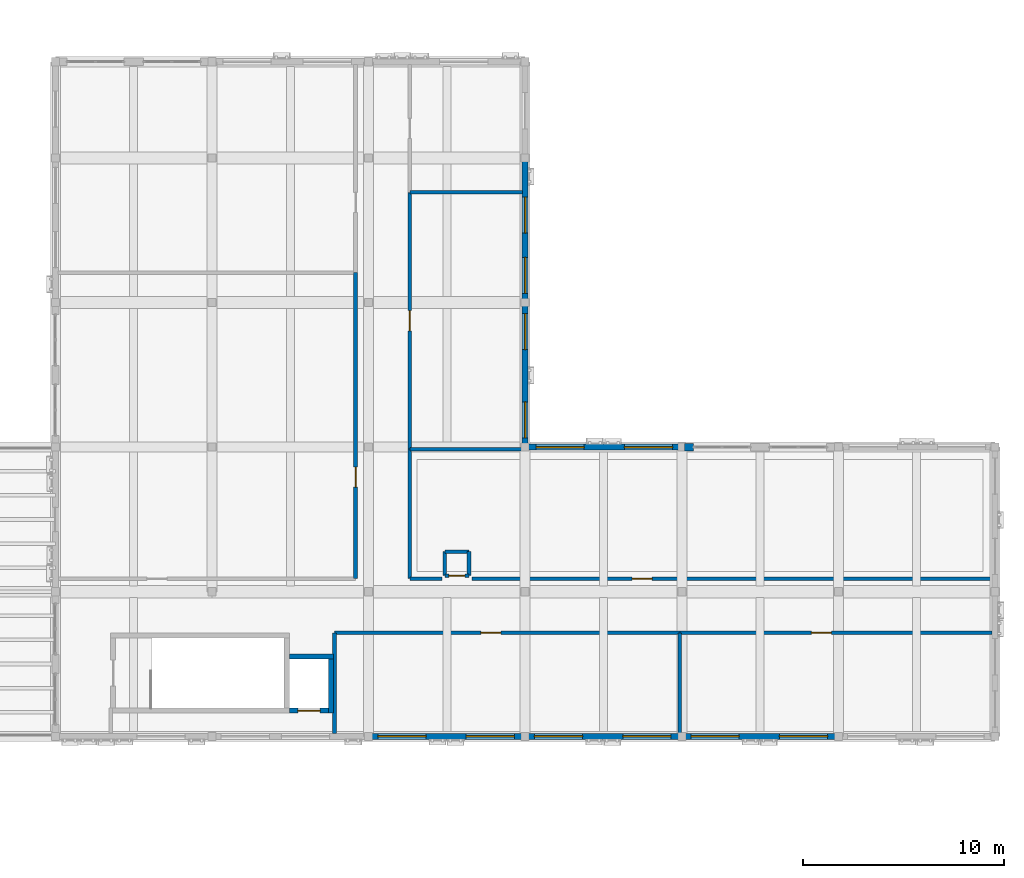
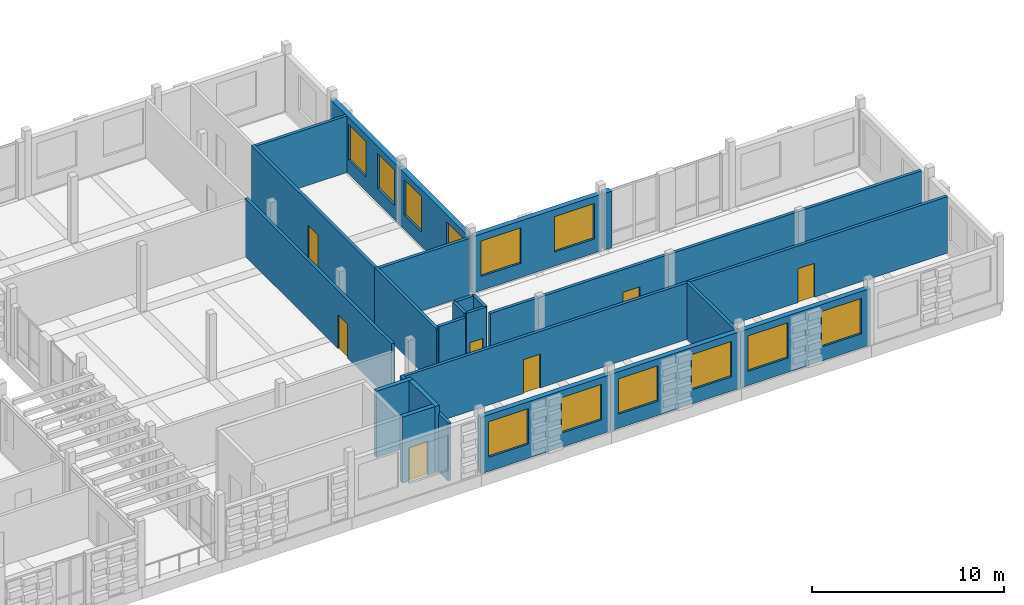
# One storey, part 75 of 99: 25 walls, 12 windows, 7 doors, 19 openings.
"""IFC4 building model written with IfcOpenShell, lengths in metres."""

from ifc_helpers import new_model, si_unit, direction, frame, frame_2d, origin, place, context, subcontext, project, spatial, rectangle, extrude, material, layer, layer_set, type_object, element, fill, save


model = new_model("IFC4")

# Units and contexts
model_context = context("Model", 3, precision=1e-05, world=origin(), true_north=direction((0.0, 1.0)))
body_context = subcontext(model_context, "Body", "Model", "MODEL_VIEW")
ifc_project = project(units=[si_unit("LENGTHUNIT", "METRE"), si_unit("AREAUNIT", "SQUARE_METRE"), si_unit("VOLUMEUNIT", "CUBIC_METRE"), si_unit("PLANEANGLEUNIT", "RADIAN"), si_unit("MASSUNIT", "GRAM", prefix="KILO")], contexts=[model_context])

# Site, building, storey
site_placement = place(None, origin())
site = spatial("IfcSite", under=ifc_project, at=site_placement, CompositionType="ELEMENT")
building_placement = place(site_placement, origin())
building = spatial("IfcBuilding", under=site, at=building_placement, Name="Kahlenmark Community Centre", CompositionType="ELEMENT")
storey_placement = place(building_placement, frame((0.0, 0.0, 5.39990234375)))
storey = spatial("IfcBuildingStorey", under=building, at=storey_placement, Name="L01", CompositionType="ELEMENT", Elevation=5.39990234375)

# Walls
ifc_material_1 = material(Name="Concrete C35/45", Category="concrete")
ifc_layer_1 = layer(ifc_material_1, 0.25)
ifc_layer_set_1 = layer_set([ifc_layer_1], Name="Concrete C35/45")
wall_type_1 = type_object("IfcWallType", Name="WT-CORE-250", PredefinedType="SHEAR", material=ifc_layer_set_1)
wall_1_placement = place(storey_placement, frame((133.25, 12.784912109375, 0.0), z_axis=(0.0, 0.0, 1.0), x_axis=(1.0, 0.0, 0.0)))
element("IfcWall", 1, at=wall_1_placement, inside=storey, type_object=wall_type_1, Name="Core K8 shear wall WL-CORE-K8-L01-0299", PredefinedType="SHEAR", context=body_context, shape_type="SweptSolid", body=[
    extrude(rectangle(XDim=2.2099609375, YDim=0.25, at=frame_2d((1.10498046875, 0.0))), origin(), (0.0, 0.0, 1.0), 4.2001953125),
])
wall_2_placement = place(storey_placement, frame((135.3349609375, 9.949951171875, 0.0), z_axis=(0.0, 0.0, 1.0), x_axis=(0.0, 1.0, 0.0)))
element("IfcWall", 2, at=wall_2_placement, inside=storey, type_object=wall_type_1, Name="Core K8 shear wall WL-CORE-K8-L01-0300", PredefinedType="SHEAR", context=body_context, shape_type="SweptSolid", body=[
    extrude(rectangle(XDim=2.9599609375, YDim=0.25, at=frame_2d((1.47998046875, 0.0))), origin(), (0.0, 0.0, 1.0), 4.2001953125),
])

# Wall, opening, door
wall_3_placement = place(storey_placement, frame((133.25, 10.074951171875, 0.0), z_axis=(0.0, 0.0, 1.0), x_axis=(1.0, 0.0, 0.0)))
wall_3 = element("IfcWall", 3, at=wall_3_placement, inside=storey, type_object=wall_type_1, Name="Core K8 shear wall WL-CORE-K8-L01-0301", PredefinedType="SHEAR", context=body_context, shape_type="SweptSolid", body=[
    extrude(rectangle(XDim=1.9599609375, YDim=0.25, at=frame_2d((0.97998046875, 0.0))), origin(), (0.0, 0.0, 1.0), 4.2001953125),
])
opening_1_placement = place(wall_3_placement, frame((0.429931640625, 0.0, -0.010009765625)))
opening_1 = element("IfcOpeningElement", 4, at=opening_1_placement, cuts=wall_3, Name="Opening LD-8", PredefinedType="OPENING", context=body_context, shape_type="SweptSolid", body=[
    extrude(rectangle(XDim=1.10009765625, YDim=2.159912109375, at=frame_2d((0.550048828125, 1.080078125))), frame((0.0, 0.135009765625, 0.0), z_axis=(0.0, -1.0, 0.0), x_axis=(1.0, 0.0, 0.0)), (0.0, 0.0, 1.0), 0.27001953125),
])
ifc_material_2 = material(Name="Brushed stainless steel sliding lift landing door", Category="steel")
door_type_1 = type_object("IfcDoorType", Name="DT-LD-K8", OperationType="SLIDING_TO_LEFT", PredefinedType="DOOR", material=ifc_material_2)
door_1_placement = place(opening_1_placement, frame((0.0, 0.0, 0.010009765625)))
door_1 = element("IfcDoor", 5, at=door_1_placement, inside=storey, type_object=door_type_1, Name="Lift LF-08 sliding landing door L01", OperationType="SLIDING_TO_LEFT", OverallHeight=2.14990234375, OverallWidth=1.10009765625, PredefinedType="DOOR", context=body_context, shape_type="SweptSolid", body=[
    extrude(rectangle(XDim=1.10009765625, YDim=2.14990234375, at=frame_2d((0.550048828125, 1.074951171875))), frame((0.0, 0.02490234375, 0.0), z_axis=(0.0, -1.0, 0.0), x_axis=(1.0, 0.0, 0.0)), (0.0, 0.0, 1.0), 0.050048828125),
])
fill(opening_1, door_1)

# Wall, openings, windows
ifc_material_3 = material(Name="Cross-laminated timber CLT C24", Category="wood")
ifc_layer_2 = layer(ifc_material_3, 0.300048828125)
ifc_layer_set_2 = layer_set([ifc_layer_2], Name="Cross-laminated timber CLT C24")
wall_type_2 = type_object("IfcWallType", Name="WT-EW-300", PredefinedType="SOLIDWALL", material=ifc_layer_set_2)
wall_4_placement = place(storey_placement, frame((137.199951171875, 8.800048828125, 0.0), z_axis=(0.0, 0.0, 1.0), x_axis=(1.0, 0.0, 0.0)))
wall_4 = element("IfcWall", 6, at=wall_4_placement, inside=storey, type_object=wall_type_2, Name="Exterior wall WL-EXT-L01-0384", PredefinedType="SOLIDWALL", context=body_context, shape_type="SweptSolid", body=[
    extrude(rectangle(XDim=7.800048828125, YDim=0.300048828125, at=frame_2d((3.89990234375, 0.0))), origin(), (0.0, 0.0, 1.0), 3.590087890625),
])
opening_2_placement = place(wall_4_placement, frame((0.4599609375, 0.0, 0.89990234375)))
opening_2 = element("IfcOpeningElement", 7, at=opening_2_placement, cuts=wall_4, Name="Opening W-240X225", PredefinedType="OPENING", context=body_context, shape_type="SweptSolid", body=[
    extrude(rectangle(XDim=2.39990234375, YDim=2.25, at=frame_2d((1.199951171875, 1.125))), frame((0.0, 0.159912109375, 0.0), z_axis=(0.0, -1.0, 0.0), x_axis=(1.0, 0.0, 0.0)), (0.0, 0.0, 1.0), 0.320068359375),
])
opening_3_placement = place(wall_4_placement, frame((4.860107421875, 0.0, 0.89990234375)))
opening_3 = element("IfcOpeningElement", 8, at=opening_3_placement, cuts=wall_4, Name="Opening W-240X225", PredefinedType="OPENING", context=body_context, shape_type="SweptSolid", body=[
    extrude(rectangle(XDim=2.39990234375, YDim=2.25, at=frame_2d((1.199951171875, 1.125))), frame((0.0, 0.159912109375, 0.0), z_axis=(0.0, -1.0, 0.0), x_axis=(1.0, 0.0, 0.0)), (0.0, 0.0, 1.0), 0.320068359375),
])
ifc_material_4 = material(Name="Triple low-e insulated glazing in timber-aluminium frame", Category="wood")
window_type_1 = type_object("IfcWindowType", Name="WNT-240X225", PartitioningType="TRIPLE_PANEL_VERTICAL", PredefinedType="WINDOW", material=ifc_material_4)
window_1_placement = place(opening_2_placement, origin())
window_1 = element("IfcWindow", 9, at=window_1_placement, inside=storey, type_object=window_type_1, Name="Window W-240X225 #0236", OverallHeight=2.25, OverallWidth=2.39990234375, PartitioningType="TRIPLE_PANEL_VERTICAL", PredefinedType="WINDOW", context=body_context, shape_type="SweptSolid", body=[
    extrude(rectangle(XDim=2.39990234375, YDim=2.25, at=frame_2d((1.199951171875, 1.125))), frame((0.0, 0.030029296875, 0.0), z_axis=(0.0, -1.0, 0.0), x_axis=(1.0, 0.0, 0.0)), (0.0, 0.0, 1.0), 0.06005859375),
])
fill(opening_2, window_1)
window_2_placement = place(opening_3_placement, origin())
window_2 = element("IfcWindow", 10, at=window_2_placement, inside=storey, type_object=window_type_1, Name="Window W-240X225 #0237", OverallHeight=2.25, OverallWidth=2.39990234375, PartitioningType="TRIPLE_PANEL_VERTICAL", PredefinedType="WINDOW", context=body_context, shape_type="SweptSolid", body=[
    extrude(rectangle(XDim=2.39990234375, YDim=2.25, at=frame_2d((1.199951171875, 1.125))), frame((0.0, 0.030029296875, 0.0), z_axis=(0.0, -1.0, 0.0), x_axis=(1.0, 0.0, 0.0)), (0.0, 0.0, 1.0), 0.06005859375),
])
fill(opening_3, window_2)

wall_5_placement = place(storey_placement, frame((145.0, 8.800048828125, 0.0), z_axis=(0.0, 0.0, 1.0), x_axis=(1.0, 0.0, 0.0)))
wall_5 = element("IfcWall", 11, at=wall_5_placement, inside=storey, type_object=wall_type_2, Name="Exterior wall WL-EXT-L01-0385", PredefinedType="SOLIDWALL", context=body_context, shape_type="SweptSolid", body=[
    extrude(rectangle(XDim=7.800048828125, YDim=0.300048828125, at=frame_2d((3.89990234375, 0.0))), origin(), (0.0, 0.0, 1.0), 3.590087890625),
])
opening_4_placement = place(wall_5_placement, frame((0.4599609375, 0.0, 0.89990234375)))
opening_4 = element("IfcOpeningElement", 12, at=opening_4_placement, cuts=wall_5, Name="Opening W-240X225", PredefinedType="OPENING", context=body_context, shape_type="SweptSolid", body=[
    extrude(rectangle(XDim=2.39990234375, YDim=2.25, at=frame_2d((1.199951171875, 1.125))), frame((0.0, 0.159912109375, 0.0), z_axis=(0.0, -1.0, 0.0), x_axis=(1.0, 0.0, 0.0)), (0.0, 0.0, 1.0), 0.320068359375),
])
opening_5_placement = place(wall_5_placement, frame((4.860107421875, 0.0, 0.89990234375)))
opening_5 = element("IfcOpeningElement", 13, at=opening_5_placement, cuts=wall_5, Name="Opening W-240X225", PredefinedType="OPENING", context=body_context, shape_type="SweptSolid", body=[
    extrude(rectangle(XDim=2.39990234375, YDim=2.25, at=frame_2d((1.199951171875, 1.125))), frame((0.0, 0.159912109375, 0.0), z_axis=(0.0, -1.0, 0.0), x_axis=(1.0, 0.0, 0.0)), (0.0, 0.0, 1.0), 0.320068359375),
])
window_3_placement = place(opening_4_placement, origin())
window_3 = element("IfcWindow", 14, at=window_3_placement, inside=storey, type_object=window_type_1, Name="Window W-240X225 #0238", OverallHeight=2.25, OverallWidth=2.39990234375, PartitioningType="TRIPLE_PANEL_VERTICAL", PredefinedType="WINDOW", context=body_context, shape_type="SweptSolid", body=[
    extrude(rectangle(XDim=2.39990234375, YDim=2.25, at=frame_2d((1.199951171875, 1.125))), frame((0.0, 0.030029296875, 0.0), z_axis=(0.0, -1.0, 0.0), x_axis=(1.0, 0.0, 0.0)), (0.0, 0.0, 1.0), 0.06005859375),
])
fill(opening_4, window_3)
window_4_placement = place(opening_5_placement, origin())
window_4 = element("IfcWindow", 15, at=window_4_placement, inside=storey, type_object=window_type_1, Name="Window W-240X225 #0239", OverallHeight=2.25, OverallWidth=2.39990234375, PartitioningType="TRIPLE_PANEL_VERTICAL", PredefinedType="WINDOW", context=body_context, shape_type="SweptSolid", body=[
    extrude(rectangle(XDim=2.39990234375, YDim=2.25, at=frame_2d((1.199951171875, 1.125))), frame((0.0, 0.030029296875, 0.0), z_axis=(0.0, -1.0, 0.0), x_axis=(1.0, 0.0, 0.0)), (0.0, 0.0, 1.0), 0.06005859375),
])
fill(opening_5, window_4)

wall_6_placement = place(storey_placement, frame((152.800048828125, 8.800048828125, 0.0), z_axis=(0.0, 0.0, 1.0), x_axis=(1.0, 0.0, 0.0)))
wall_6 = element("IfcWall", 16, at=wall_6_placement, inside=storey, type_object=wall_type_2, Name="Exterior wall WL-EXT-L01-0386", PredefinedType="SOLIDWALL", context=body_context, shape_type="SweptSolid", body=[
    extrude(rectangle(XDim=7.800048828125, YDim=0.300048828125, at=frame_2d((3.89990234375, 0.0))), origin(), (0.0, 0.0, 1.0), 3.590087890625),
])
opening_6_placement = place(wall_6_placement, frame((0.4599609375, 0.0, 0.89990234375)))
opening_6 = element("IfcOpeningElement", 17, at=opening_6_placement, cuts=wall_6, Name="Opening W-240X225", PredefinedType="OPENING", context=body_context, shape_type="SweptSolid", body=[
    extrude(rectangle(XDim=2.39990234375, YDim=2.25, at=frame_2d((1.199951171875, 1.125))), frame((0.0, 0.159912109375, 0.0), z_axis=(0.0, -1.0, 0.0), x_axis=(1.0, 0.0, 0.0)), (0.0, 0.0, 1.0), 0.320068359375),
])
opening_7_placement = place(wall_6_placement, frame((4.860107421875, 0.0, 0.89990234375)))
opening_7 = element("IfcOpeningElement", 18, at=opening_7_placement, cuts=wall_6, Name="Opening W-240X225", PredefinedType="OPENING", context=body_context, shape_type="SweptSolid", body=[
    extrude(rectangle(XDim=2.39990234375, YDim=2.25, at=frame_2d((1.199951171875, 1.125))), frame((0.0, 0.159912109375, 0.0), z_axis=(0.0, -1.0, 0.0), x_axis=(1.0, 0.0, 0.0)), (0.0, 0.0, 1.0), 0.320068359375),
])
window_5_placement = place(opening_6_placement, origin())
window_5 = element("IfcWindow", 19, at=window_5_placement, inside=storey, type_object=window_type_1, Name="Window W-240X225 #0240", OverallHeight=2.25, OverallWidth=2.39990234375, PartitioningType="TRIPLE_PANEL_VERTICAL", PredefinedType="WINDOW", context=body_context, shape_type="SweptSolid", body=[
    extrude(rectangle(XDim=2.39990234375, YDim=2.25, at=frame_2d((1.199951171875, 1.125))), frame((0.0, 0.030029296875, 0.0), z_axis=(0.0, -1.0, 0.0), x_axis=(1.0, 0.0, 0.0)), (0.0, 0.0, 1.0), 0.06005859375),
])
fill(opening_6, window_5)
window_6_placement = place(opening_7_placement, origin())
window_6 = element("IfcWindow", 20, at=window_6_placement, inside=storey, type_object=window_type_1, Name="Window W-240X225 #0241", OverallHeight=2.25, OverallWidth=2.39990234375, PartitioningType="TRIPLE_PANEL_VERTICAL", PredefinedType="WINDOW", context=body_context, shape_type="SweptSolid", body=[
    extrude(rectangle(XDim=2.39990234375, YDim=2.25, at=frame_2d((1.199951171875, 1.125))), frame((0.0, 0.030029296875, 0.0), z_axis=(0.0, -1.0, 0.0), x_axis=(1.0, 0.0, 0.0)), (0.0, 0.0, 1.0), 0.06005859375),
])
fill(opening_7, window_6)

wall_7_placement = place(storey_placement, frame((152.800048828125, 23.199951171875, 0.0), z_axis=(0.0, 0.0, 1.0), x_axis=(-1.0, 0.0, 0.0)))
wall_7 = element("IfcWall", 21, at=wall_7_placement, inside=storey, type_object=wall_type_2, Name="Exterior wall WL-EXT-L01-0388", PredefinedType="SOLIDWALL", context=body_context, shape_type="SweptSolid", body=[
    extrude(rectangle(XDim=7.800048828125, YDim=0.300048828125, at=frame_2d((3.89990234375, 0.0))), origin(), (0.0, 0.0, 1.0), 3.590087890625),
])
opening_8_placement = place(wall_7_placement, frame((0.4599609375, 0.0, 0.89990234375)))
opening_8 = element("IfcOpeningElement", 22, at=opening_8_placement, cuts=wall_7, Name="Opening W-240X225", PredefinedType="OPENING", context=body_context, shape_type="SweptSolid", body=[
    extrude(rectangle(XDim=2.39990234375, YDim=2.25, at=frame_2d((1.199951171875, 1.125))), frame((0.0, 0.159912109375, 0.0), z_axis=(0.0, -1.0, 0.0), x_axis=(1.0, 0.0, 0.0)), (0.0, 0.0, 1.0), 0.320068359375),
])
opening_9_placement = place(wall_7_placement, frame((4.860107421875, 0.0, 0.89990234375)))
opening_9 = element("IfcOpeningElement", 23, at=opening_9_placement, cuts=wall_7, Name="Opening W-240X225", PredefinedType="OPENING", context=body_context, shape_type="SweptSolid", body=[
    extrude(rectangle(XDim=2.39990234375, YDim=2.25, at=frame_2d((1.199951171875, 1.125))), frame((0.0, 0.159912109375, 0.0), z_axis=(0.0, -1.0, 0.0), x_axis=(1.0, 0.0, 0.0)), (0.0, 0.0, 1.0), 0.320068359375),
])
window_7_placement = place(opening_8_placement, origin())
window_7 = element("IfcWindow", 24, at=window_7_placement, inside=storey, type_object=window_type_1, Name="Window W-240X225 #0244", OverallHeight=2.25, OverallWidth=2.39990234375, PartitioningType="TRIPLE_PANEL_VERTICAL", PredefinedType="WINDOW", context=body_context, shape_type="SweptSolid", body=[
    extrude(rectangle(XDim=2.39990234375, YDim=2.25, at=frame_2d((1.199951171875, 1.125))), frame((0.0, 0.030029296875, 0.0), z_axis=(0.0, -1.0, 0.0), x_axis=(1.0, 0.0, 0.0)), (0.0, 0.0, 1.0), 0.06005859375),
])
fill(opening_8, window_7)
window_8_placement = place(opening_9_placement, origin())
window_8 = element("IfcWindow", 25, at=window_8_placement, inside=storey, type_object=window_type_1, Name="Window W-240X225 #0245", OverallHeight=2.25, OverallWidth=2.39990234375, PartitioningType="TRIPLE_PANEL_VERTICAL", PredefinedType="WINDOW", context=body_context, shape_type="SweptSolid", body=[
    extrude(rectangle(XDim=2.39990234375, YDim=2.25, at=frame_2d((1.199951171875, 1.125))), frame((0.0, 0.030029296875, 0.0), z_axis=(0.0, -1.0, 0.0), x_axis=(1.0, 0.0, 0.0)), (0.0, 0.0, 1.0), 0.06005859375),
])
fill(opening_9, window_8)

wall_8_placement = place(storey_placement, frame((145.0, 23.199951171875, 0.0), z_axis=(0.0, 0.0, 1.0), x_axis=(0.0, 1.0, 0.0)))
wall_8 = element("IfcWall", 26, at=wall_8_placement, inside=storey, type_object=wall_type_2, Name="Exterior wall WL-EXT-L01-0409", PredefinedType="SOLIDWALL", context=body_context, shape_type="SweptSolid", body=[
    extrude(rectangle(XDim=7.199951171875, YDim=0.300048828125, at=frame_2d((3.60009765625, 0.0))), origin(), (0.0, 0.0, 1.0), 3.590087890625),
])
opening_10_placement = place(wall_8_placement, frame((0.4599609375, 0.0, 0.89990234375)))
opening_10 = element("IfcOpeningElement", 27, at=opening_10_placement, cuts=wall_8, Name="Opening W-180X225", PredefinedType="OPENING", context=body_context, shape_type="SweptSolid", body=[
    extrude(rectangle(XDim=1.800048828125, YDim=2.25, at=frame_2d((0.89990234375, 1.125))), frame((0.0, 0.159912109375, 0.0), z_axis=(0.0, -1.0, 0.0), x_axis=(1.0, 0.0, 0.0)), (0.0, 0.0, 1.0), 0.320068359375),
])
opening_11_placement = place(wall_8_placement, frame((4.860107421875, 0.0, 0.89990234375)))
opening_11 = element("IfcOpeningElement", 28, at=opening_11_placement, cuts=wall_8, Name="Opening W-180X225", PredefinedType="OPENING", context=body_context, shape_type="SweptSolid", body=[
    extrude(rectangle(XDim=1.800048828125, YDim=2.25, at=frame_2d((0.89990234375, 1.125))), frame((0.0, 0.159912109375, 0.0), z_axis=(0.0, -1.0, 0.0), x_axis=(1.0, 0.0, 0.0)), (0.0, 0.0, 1.0), 0.320068359375),
])
window_type_2 = type_object("IfcWindowType", Name="WNT-180X225", PartitioningType="DOUBLE_PANEL_VERTICAL", PredefinedType="WINDOW", material=ifc_material_4)
window_9_placement = place(opening_10_placement, origin())
window_9 = element("IfcWindow", 29, at=window_9_placement, inside=storey, type_object=window_type_2, Name="Window W-180X225 #0258", OverallHeight=2.25, OverallWidth=1.800048828125, PartitioningType="DOUBLE_PANEL_VERTICAL", PredefinedType="WINDOW", context=body_context, shape_type="SweptSolid", body=[
    extrude(rectangle(XDim=1.800048828125, YDim=2.25, at=frame_2d((0.89990234375, 1.125))), frame((0.0, 0.030029296875, 0.0), z_axis=(0.0, -1.0, 0.0), x_axis=(1.0, 0.0, 0.0)), (0.0, 0.0, 1.0), 0.06005859375),
])
fill(opening_10, window_9)
window_10_placement = place(opening_11_placement, origin())
window_10 = element("IfcWindow", 30, at=window_10_placement, inside=storey, type_object=window_type_2, Name="Window W-180X225 #0259", OverallHeight=2.25, OverallWidth=1.800048828125, PartitioningType="DOUBLE_PANEL_VERTICAL", PredefinedType="WINDOW", context=body_context, shape_type="SweptSolid", body=[
    extrude(rectangle(XDim=1.800048828125, YDim=2.25, at=frame_2d((0.89990234375, 1.125))), frame((0.0, 0.030029296875, 0.0), z_axis=(0.0, -1.0, 0.0), x_axis=(1.0, 0.0, 0.0)), (0.0, 0.0, 1.0), 0.06005859375),
])
fill(opening_11, window_10)

wall_9_placement = place(storey_placement, frame((145.0, 30.39990234375, 0.0), z_axis=(0.0, 0.0, 1.0), x_axis=(0.0, 1.0, 0.0)))
wall_9 = element("IfcWall", 31, at=wall_9_placement, inside=storey, type_object=wall_type_2, Name="Exterior wall WL-EXT-L01-0410", PredefinedType="SOLIDWALL", context=body_context, shape_type="SweptSolid", body=[
    extrude(rectangle(XDim=7.2001953125, YDim=0.300048828125, at=frame_2d((3.60009765625, 0.0))), origin(), (0.0, 0.0, 1.0), 3.590087890625),
])
opening_12_placement = place(wall_9_placement, frame((0.4599609375, 0.0, 0.89990234375)))
opening_12 = element("IfcOpeningElement", 32, at=opening_12_placement, cuts=wall_9, Name="Opening W-180X225", PredefinedType="OPENING", context=body_context, shape_type="SweptSolid", body=[
    extrude(rectangle(XDim=1.800048828125, YDim=2.25, at=frame_2d((0.89990234375, 1.125))), frame((0.0, 0.159912109375, 0.0), z_axis=(0.0, -1.0, 0.0), x_axis=(1.0, 0.0, 0.0)), (0.0, 0.0, 1.0), 0.320068359375),
])
opening_13_placement = place(wall_9_placement, frame((3.4599609375, 0.0, 0.89990234375)))
opening_13 = element("IfcOpeningElement", 33, at=opening_13_placement, cuts=wall_9, Name="Opening W-180X225", PredefinedType="OPENING", context=body_context, shape_type="SweptSolid", body=[
    extrude(rectangle(XDim=1.800048828125, YDim=2.25, at=frame_2d((0.89990234375, 1.125))), frame((0.0, 0.159912109375, 0.0), z_axis=(0.0, -1.0, 0.0), x_axis=(1.0, 0.0, 0.0)), (0.0, 0.0, 1.0), 0.320068359375),
])
window_11_placement = place(opening_12_placement, origin())
window_11 = element("IfcWindow", 34, at=window_11_placement, inside=storey, type_object=window_type_2, Name="Window W-180X225 #0260", OverallHeight=2.25, OverallWidth=1.800048828125, PartitioningType="DOUBLE_PANEL_VERTICAL", PredefinedType="WINDOW", context=body_context, shape_type="SweptSolid", body=[
    extrude(rectangle(XDim=1.800048828125, YDim=2.25, at=frame_2d((0.89990234375, 1.125))), frame((0.0, 0.030029296875, 0.0), z_axis=(0.0, -1.0, 0.0), x_axis=(1.0, 0.0, 0.0)), (0.0, 0.0, 1.0), 0.06005859375),
])
fill(opening_12, window_11)
window_12_placement = place(opening_13_placement, origin())
window_12 = element("IfcWindow", 35, at=window_12_placement, inside=storey, type_object=window_type_2, Name="Window W-180X225 #0261", OverallHeight=2.25, OverallWidth=1.800048828125, PartitioningType="DOUBLE_PANEL_VERTICAL", PredefinedType="WINDOW", context=body_context, shape_type="SweptSolid", body=[
    extrude(rectangle(XDim=1.800048828125, YDim=2.25, at=frame_2d((0.89990234375, 1.125))), frame((0.0, 0.030029296875, 0.0), z_axis=(0.0, -1.0, 0.0), x_axis=(1.0, 0.0, 0.0)), (0.0, 0.0, 1.0), 0.06005859375),
])
fill(opening_13, window_12)

# Walls
ifc_material_5 = material(Name="Danube limestone masonry", Category="masonry")
ifc_layer_3 = layer(ifc_material_5, 0.360107421875)
ifc_layer_set_3 = layer_set([ifc_layer_3], Name="Danube limestone masonry")
wall_type_3 = type_object("IfcWallType", Name="WT-EW-360", PredefinedType="SOLIDWALL", material=ifc_layer_set_3)
wall_10_placement = place(storey_placement, frame((153.3798828125, 23.199951171875, 0.0), z_axis=(0.0, 0.0, 1.0), x_axis=(-1.0, 0.0, 0.0)))
element("IfcWall", 36, at=wall_10_placement, inside=storey, type_object=wall_type_3, Name="Column closure pier 0391", PredefinedType="SOLIDWALL", context=body_context, shape_type="SweptSolid", body=[
    extrude(rectangle(XDim=0.449951171875, YDim=0.360107421875, at=frame_2d((0.22509765625, 0.0))), origin(), (0.0, 0.0, 1.0), 3.590087890625),
])
ifc_material_6 = material(Name="Gypsum plasterboard partition", Category="gypsum")
ifc_layer_4 = layer(ifc_material_6, 0.179931640625)
ifc_layer_set_4 = layer_set([ifc_layer_4], Name="Gypsum plasterboard partition")
wall_type_4 = type_object("IfcWallType", Name="WT-PW-180", PredefinedType="PARTITIONING", material=ifc_layer_set_4)
wall_11_placement = place(storey_placement, frame((135.5, 8.93994140625, 0.0), z_axis=(0.0, 0.0, 1.0), x_axis=(0.0, 1.0, 0.0)))
element("IfcWall", 37, at=wall_11_placement, inside=storey, type_object=wall_type_4, Name="Interior partition WL-INT-L01-0121", PredefinedType="PARTITIONING", context=body_context, shape_type="SweptSolid", body=[
    extrude(rectangle(XDim=5.010009765625, YDim=0.179931640625, at=frame_2d((2.5048828125, 0.0))), origin(), (0.0, 0.0, 1.0), 3.670166015625),
])

# Wall, opening, door
wall_12_placement = place(storey_placement, frame((135.5, 13.949951171875, 0.0), z_axis=(0.0, 0.0, 1.0), x_axis=(1.0, 0.0, 0.0)))
wall_12 = element("IfcWall", 38, at=wall_12_placement, inside=storey, type_object=wall_type_4, Name="Interior partition WL-INT-L01-0122", PredefinedType="PARTITIONING", context=body_context, shape_type="SweptSolid", body=[
    extrude(rectangle(XDim=17.199951171875, YDim=0.179931640625, at=frame_2d((8.60009765625, 0.0))), origin(), (0.0, 0.0, 1.0), 3.590087890625),
])
opening_14_placement = place(wall_12_placement, frame((7.2900390625, 0.0, -0.010009765625)))
opening_14 = element("IfcOpeningElement", 39, at=opening_14_placement, cuts=wall_12, Name="Opening D-L01-072", PredefinedType="OPENING", context=body_context, shape_type="SweptSolid", body=[
    extrude(rectangle(XDim=1.0, YDim=2.159912109375, at=frame_2d((0.5, 1.080078125))), frame((0.0, 0.099853515625, 0.0), z_axis=(0.0, -1.0, 0.0), x_axis=(1.0, 0.0, 0.0)), (0.0, 0.0, 1.0), 0.199951171875),
])
ifc_material_7 = material(Name="Oak timber veneer door leaf", Category="wood")
door_type_2 = type_object("IfcDoorType", Name="DT-INT-100X215", OperationType="NOTDEFINED", PredefinedType="DOOR", material=ifc_material_7)
door_2_placement = place(opening_14_placement, frame((1.0, 0.0, 0.010009765625), z_axis=(0.0, 0.0, 1.0), x_axis=(-1.0, 0.0, 0.0)))
door_2 = element("IfcDoor", 40, at=door_2_placement, inside=storey, type_object=door_type_2, Name="Interior door D-L01-072", OperationType="SINGLE_SWING_LEFT", OverallHeight=2.14990234375, OverallWidth=1.0, PredefinedType="DOOR", context=body_context, shape_type="SweptSolid", body=[
    extrude(rectangle(XDim=1.0, YDim=2.14990234375, at=frame_2d((0.5, 1.074951171875))), frame((0.0, 0.02490234375, 0.0), z_axis=(0.0, -1.0, 0.0), x_axis=(1.0, 0.0, 0.0)), (0.0, 0.0, 1.0), 0.050048828125),
])
fill(opening_14, door_2)

wall_13_placement = place(storey_placement, frame((152.699951171875, 13.949951171875, 0.0), z_axis=(0.0, 0.0, 1.0), x_axis=(1.0, 0.0, 0.0)))
wall_13 = element("IfcWall", 41, at=wall_13_placement, inside=storey, type_object=wall_type_4, Name="Interior partition WL-INT-L01-0123", PredefinedType="PARTITIONING", context=body_context, shape_type="SweptSolid", body=[
    extrude(rectangle(XDim=15.56005859375, YDim=0.179931640625, at=frame_2d((7.780029296875, 0.0))), origin(), (0.0, 0.0, 1.0), 3.590087890625),
])
opening_15_placement = place(wall_13_placement, frame((6.552001953125, 0.0, -0.010009765625)))
opening_15 = element("IfcOpeningElement", 42, at=opening_15_placement, cuts=wall_13, Name="Opening D-L01-073", PredefinedType="OPENING", context=body_context, shape_type="SweptSolid", body=[
    extrude(rectangle(XDim=1.0, YDim=2.159912109375, at=frame_2d((0.5, 1.080078125))), frame((0.0, 0.099853515625, 0.0), z_axis=(0.0, -1.0, 0.0), x_axis=(1.0, 0.0, 0.0)), (0.0, 0.0, 1.0), 0.199951171875),
])
door_3_placement = place(opening_15_placement, frame((0.0, 0.0, 0.010009765625)))
door_3 = element("IfcDoor", 43, at=door_3_placement, inside=storey, type_object=door_type_2, Name="Interior door D-L01-073", OperationType="SINGLE_SWING_RIGHT", OverallHeight=2.14990234375, OverallWidth=1.0, PredefinedType="DOOR", context=body_context, shape_type="SweptSolid", body=[
    extrude(rectangle(XDim=1.0, YDim=2.14990234375, at=frame_2d((0.5, 1.074951171875))), frame((0.0, 0.02490234375, 0.0), z_axis=(0.0, -1.0, 0.0), x_axis=(1.0, 0.0, 0.0)), (0.0, 0.0, 1.0), 0.050048828125),
])
fill(opening_15, door_3)

# Wall
wall_14_placement = place(storey_placement, frame((152.699951171875, 8.93994140625, 0.0), z_axis=(0.0, 0.0, 1.0), x_axis=(0.0, 1.0, 0.0)))
element("IfcWall", 44, at=wall_14_placement, inside=storey, type_object=wall_type_4, Name="Interior partition WL-INT-L01-0124", PredefinedType="PARTITIONING", context=body_context, shape_type="SweptSolid", body=[
    extrude(rectangle(XDim=5.010009765625, YDim=0.179931640625, at=frame_2d((2.5048828125, 0.0))), origin(), (0.0, 0.0, 1.0), 3.590087890625),
])

# Wall, opening, door
wall_15_placement = place(storey_placement, frame((136.550048828125, 16.64990234375, 0.0), z_axis=(0.0, 0.0, 1.0), x_axis=(0.0, 1.0, 0.0)))
wall_15 = element("IfcWall", 45, at=wall_15_placement, inside=storey, type_object=wall_type_4, Name="Interior partition WL-INT-L01-0126", PredefinedType="PARTITIONING", context=body_context, shape_type="SweptSolid", body=[
    extrude(rectangle(XDim=15.25, YDim=0.179931640625, at=frame_2d((7.625, 0.0))), origin(), (0.0, 0.0, 1.0), 3.670166015625),
])
opening_16_placement = place(wall_15_placement, frame((4.56005859375, 0.0, -0.010009765625)))
opening_16 = element("IfcOpeningElement", 46, at=opening_16_placement, cuts=wall_15, Name="Opening D-L01-075", PredefinedType="OPENING", context=body_context, shape_type="SweptSolid", body=[
    extrude(rectangle(XDim=1.0, YDim=2.159912109375, at=frame_2d((0.5, 1.080078125))), frame((0.0, 0.099853515625, 0.0), z_axis=(0.0, -1.0, 0.0), x_axis=(1.0, 0.0, 0.0)), (0.0, 0.0, 1.0), 0.199951171875),
])
door_4_placement = place(opening_16_placement, frame((1.0, 0.0, 0.010009765625), z_axis=(0.0, 0.0, 1.0), x_axis=(-1.0, 0.0, 0.0)))
door_4 = element("IfcDoor", 47, at=door_4_placement, inside=storey, type_object=door_type_2, Name="Interior door D-L01-075", OperationType="SINGLE_SWING_RIGHT", OverallHeight=2.14990234375, OverallWidth=1.0, PredefinedType="DOOR", context=body_context, shape_type="SweptSolid", body=[
    extrude(rectangle(XDim=1.0, YDim=2.14990234375, at=frame_2d((0.5, 1.074951171875))), frame((0.0, 0.02490234375, 0.0), z_axis=(0.0, -1.0, 0.0), x_axis=(1.0, 0.0, 0.0)), (0.0, 0.0, 1.0), 0.050048828125),
])
fill(opening_16, door_4)

# Wall
wall_16_placement = place(storey_placement, frame((139.25, 16.64990234375, 0.0), z_axis=(0.0, 0.0, 1.0), x_axis=(1.0, 0.0, 0.0)))
element("IfcWall", 48, at=wall_16_placement, inside=storey, type_object=wall_type_4, Name="Interior partition WL-INT-L01-0129", PredefinedType="PARTITIONING", context=body_context, shape_type="SweptSolid", body=[
    extrude(rectangle(XDim=1.60009765625, YDim=0.179931640625, at=frame_2d((0.800048828125, 0.0))), origin(), (0.0, 0.0, 1.0), 3.840087890625),
])

# Wall, opening, door
wall_17_placement = place(storey_placement, frame((142.35009765625, 16.64990234375, 0.0), z_axis=(0.0, 0.0, 1.0), x_axis=(1.0, 0.0, 0.0)))
wall_17 = element("IfcWall", 49, at=wall_17_placement, inside=storey, type_object=wall_type_4, Name="Interior partition WL-INT-L01-0130", PredefinedType="PARTITIONING", context=body_context, shape_type="SweptSolid", body=[
    extrude(rectangle(XDim=25.909912109375, YDim=0.179931640625, at=frame_2d((12.955078125, 0.0))), origin(), (0.0, 0.0, 1.0), 3.590087890625),
])
opening_17_placement = place(wall_17_placement, frame((7.970947265625, 0.0, -0.010009765625)))
opening_17 = element("IfcOpeningElement", 50, at=opening_17_placement, cuts=wall_17, Name="Opening D-L01-077", PredefinedType="OPENING", context=body_context, shape_type="SweptSolid", body=[
    extrude(rectangle(XDim=1.0, YDim=2.159912109375, at=frame_2d((0.5, 1.080078125))), frame((0.0, 0.099853515625, 0.0), z_axis=(0.0, -1.0, 0.0), x_axis=(1.0, 0.0, 0.0)), (0.0, 0.0, 1.0), 0.199951171875),
])
door_5_placement = place(opening_17_placement, frame((0.0, 0.0, 0.010009765625)))
door_5 = element("IfcDoor", 51, at=door_5_placement, inside=storey, type_object=door_type_2, Name="Interior door D-L01-077", OperationType="SINGLE_SWING_RIGHT", OverallHeight=2.14990234375, OverallWidth=1.0, PredefinedType="DOOR", context=body_context, shape_type="SweptSolid", body=[
    extrude(rectangle(XDim=1.0, YDim=2.14990234375, at=frame_2d((0.5, 1.074951171875))), frame((0.0, 0.02490234375, 0.0), z_axis=(0.0, -1.0, 0.0), x_axis=(1.0, 0.0, 0.0)), (0.0, 0.0, 1.0), 0.050048828125),
])
fill(opening_17, door_5)

# Walls
wall_18_placement = place(storey_placement, frame((139.25, 23.10009765625, 0.0), z_axis=(0.0, 0.0, 1.0), x_axis=(1.0, 0.0, 0.0)))
element("IfcWall", 52, at=wall_18_placement, inside=storey, type_object=wall_type_4, Name="Interior partition WL-INT-L01-0131", PredefinedType="PARTITIONING", context=body_context, shape_type="SweptSolid", body=[
    extrude(rectangle(XDim=5.610107421875, YDim=0.179931640625, at=frame_2d((2.80517578125, 0.0))), origin(), (0.0, 0.0, 1.0), 3.590087890625),
])
wall_19_placement = place(storey_placement, frame((139.25, 16.64990234375, 0.0), z_axis=(0.0, 0.0, 1.0), x_axis=(0.0, 1.0, 0.0)))
element("IfcWall", 53, at=wall_19_placement, inside=storey, type_object=wall_type_4, Name="Interior partition WL-INT-L01-0132", PredefinedType="PARTITIONING", context=body_context, shape_type="SweptSolid", body=[
    extrude(rectangle(XDim=6.4501953125, YDim=0.179931640625, at=frame_2d((3.22509765625, 0.0))), origin(), (0.0, 0.0, 1.0), 3.670166015625),
])

# Wall, opening, door
wall_20_placement = place(storey_placement, frame((139.25, 23.10009765625, 0.0), z_axis=(0.0, 0.0, 1.0), x_axis=(0.0, 1.0, 0.0)))
wall_20 = element("IfcWall", 54, at=wall_20_placement, inside=storey, type_object=wall_type_4, Name="Interior partition WL-INT-L01-0133", PredefinedType="PARTITIONING", context=body_context, shape_type="SweptSolid", body=[
    extrude(rectangle(XDim=12.7998046875, YDim=0.179931640625, at=frame_2d((6.39990234375, 0.0))), origin(), (0.0, 0.0, 1.0), 3.670166015625),
])
opening_18_placement = place(wall_20_placement, frame((5.89990234375, 0.0, -0.010009765625)))
opening_18 = element("IfcOpeningElement", 55, at=opening_18_placement, cuts=wall_20, Name="Opening D-L01-078", PredefinedType="OPENING", context=body_context, shape_type="SweptSolid", body=[
    extrude(rectangle(XDim=1.0, YDim=2.159912109375, at=frame_2d((0.5, 1.080078125))), frame((0.0, 0.099853515625, 0.0), z_axis=(0.0, -1.0, 0.0), x_axis=(1.0, 0.0, 0.0)), (0.0, 0.0, 1.0), 0.199951171875),
])
door_6_placement = place(opening_18_placement, frame((1.0, 0.0, 0.010009765625), z_axis=(0.0, 0.0, 1.0), x_axis=(-1.0, 0.0, 0.0)))
door_6 = element("IfcDoor", 56, at=door_6_placement, inside=storey, type_object=door_type_2, Name="Interior door D-L01-078", OperationType="SINGLE_SWING_LEFT", OverallHeight=2.14990234375, OverallWidth=1.0, PredefinedType="DOOR", context=body_context, shape_type="SweptSolid", body=[
    extrude(rectangle(XDim=1.0, YDim=2.14990234375, at=frame_2d((0.5, 1.074951171875))), frame((0.0, 0.02490234375, 0.0), z_axis=(0.0, -1.0, 0.0), x_axis=(1.0, 0.0, 0.0)), (0.0, 0.0, 1.0), 0.050048828125),
])
fill(opening_18, door_6)

# Wall
wall_21_placement = place(storey_placement, frame((139.25, 35.89990234375, 0.0), z_axis=(0.0, 0.0, 1.0), x_axis=(1.0, 0.0, 0.0)))
element("IfcWall", 57, at=wall_21_placement, inside=storey, type_object=wall_type_4, Name="Interior partition WL-INT-L01-0135", PredefinedType="PARTITIONING", context=body_context, shape_type="SweptSolid", body=[
    extrude(rectangle(XDim=5.610107421875, YDim=0.179931640625, at=frame_2d((2.80517578125, 0.0))), origin(), (0.0, 0.0, 1.0), 3.590087890625),
])

# Wall, opening, door
ifc_material_8 = material(Name="Masonry blockwork", Category="masonry")
ifc_layer_5 = layer(ifc_material_8, 0.179931640625)
ifc_layer_set_5 = layer_set([ifc_layer_5], Name="Masonry blockwork")
wall_type_5 = type_object("IfcWallType", Name="WT-RISER-180", PredefinedType="SOLIDWALL", material=ifc_layer_set_5)
wall_22_placement = place(storey_placement, frame((141.0, 16.800048828125, 0.0), z_axis=(0.0, 0.0, 1.0), x_axis=(1.0, 0.0, 0.0)))
wall_22 = element("IfcWall", 58, at=wall_22_placement, inside=storey, type_object=wall_type_5, Name="Riser RS-05 shaft wall L01.1", PredefinedType="SOLIDWALL", context=body_context, shape_type="SweptSolid", body=[
    extrude(rectangle(XDim=1.199951171875, YDim=0.179931640625, at=frame_2d((0.60009765625, 0.0))), origin(), (0.0, 0.0, 1.0), 3.97021484375),
])
opening_19_placement = place(wall_22_placement, frame((0.199951171875, 0.0, -0.010009765625)))
opening_19 = element("IfcOpeningElement", 59, at=opening_19_placement, cuts=wall_22, Name="Opening FD-RS80", PredefinedType="OPENING", context=body_context, shape_type="SweptSolid", body=[
    extrude(rectangle(XDim=0.800048828125, YDim=2.06005859375, at=frame_2d((0.39990234375, 1.030029296875))), frame((0.0, 0.099853515625, 0.0), z_axis=(0.0, -1.0, 0.0), x_axis=(1.0, 0.0, 0.0)), (0.0, 0.0, 1.0), 0.199951171875),
])
ifc_material_9 = material(Name="Fire-rated steel service riser door FD60S", Category="steel")
door_type_3 = type_object("IfcDoorType", Name="DT-RISER-80X205", OperationType="NOTDEFINED", PredefinedType="DOOR", material=ifc_material_9)
door_7_placement = place(opening_19_placement, frame((0.0, 0.0, 0.010009765625)))
door_7 = element("IfcDoor", 60, at=door_7_placement, inside=storey, type_object=door_type_3, Name="Riser RS-05 access door L01", OperationType="SINGLE_SWING_RIGHT", OverallHeight=2.050048828125, OverallWidth=0.800048828125, PredefinedType="DOOR", context=body_context, shape_type="SweptSolid", body=[
    extrude(rectangle(XDim=0.800048828125, YDim=2.050048828125, at=frame_2d((0.39990234375, 1.02490234375))), frame((0.0, 0.02490234375, 0.0), z_axis=(0.0, -1.0, 0.0), x_axis=(1.0, 0.0, 0.0)), (0.0, 0.0, 1.0), 0.050048828125),
])
fill(opening_19, door_7)

# Walls
for number, where, z_axis, x_axis, name in (
    (61, (142.199951171875, 16.800048828125, 0.0), (0.0, 0.0, 1.0), (0.0, 1.0, 0.0), "Riser RS-05 shaft wall L01.2"),
    (62, (142.199951171875, 18.0, 0.0), (0.0, 0.0, 1.0), (-1.0, 0.0, 0.0), "Riser RS-05 shaft wall L01.3"),
    (63, (141.0, 18.0, 0.0), (0.0, 0.0, 1.0), (0.0, -1.0, 0.0), "Riser RS-05 shaft wall L01.4"),
):
    element("IfcWall", number, at=place(storey_placement, frame(where, z_axis=z_axis, x_axis=x_axis)), inside=storey, type_object=wall_type_5, Name=name, PredefinedType="SOLIDWALL", context=body_context, shape_type="SweptSolid", body=[
        extrude(rectangle(XDim=1.199951171875, YDim=0.179931640625, at=frame_2d((0.60009765625, 0.0))), origin(), (0.0, 0.0, 1.0), 3.97021484375),
    ])

save(model, "model.ifc")
